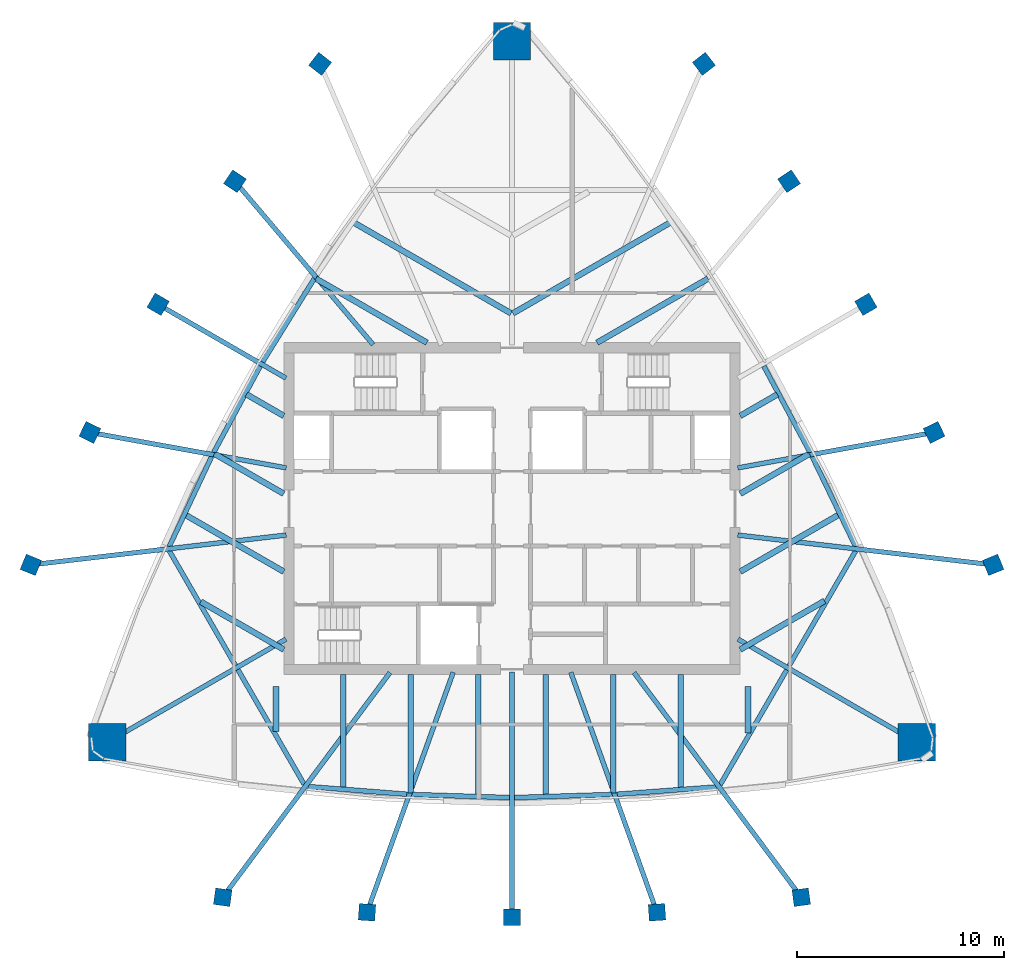
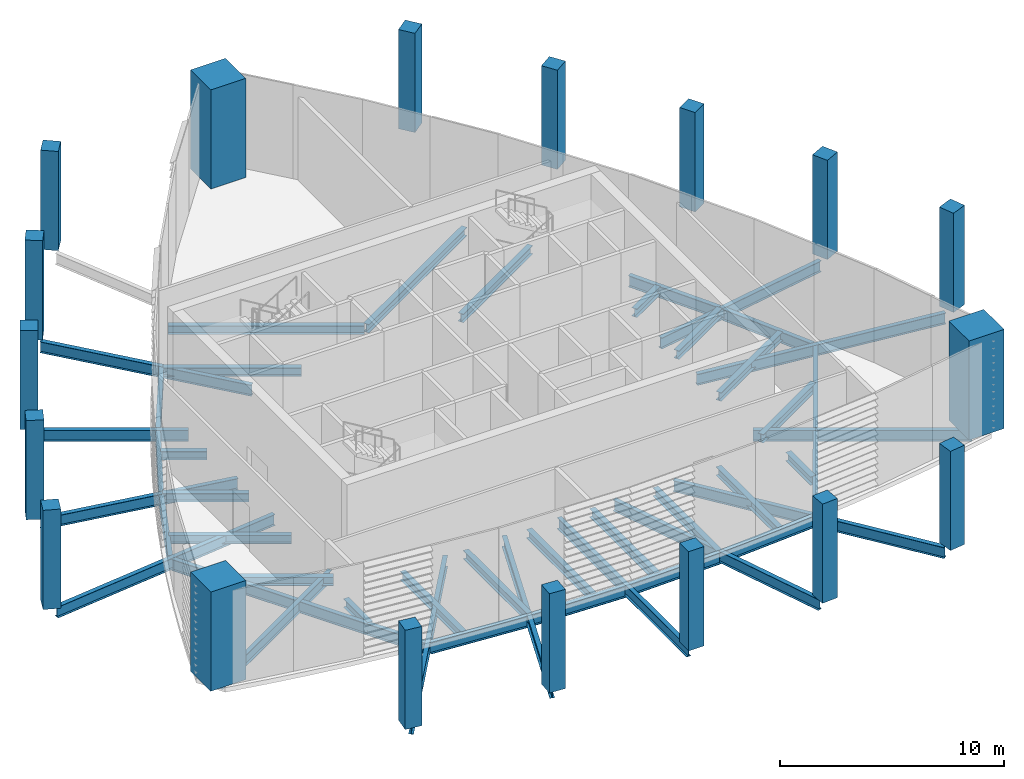
# One storey, part 1 of 8: 44 beams, 18 columns.
"""IFC4 building model written with IfcOpenShell, lengths in metres."""

import ifcopenshell
import ifcopenshell.guid

model = None  # the IFC model being written
_history = None  # IfcOwnerHistory: only IFC2X3 demands one
_inside = {}  # id of a spatial element -> (the spatial element, [elements in it])
_under = {}  # id of a project, library or spatial element -> (it, [spatial elements below it])
_declared = {}  # id of a project -> (the project, [libraries it declares])
_typed = {}  # id of a type object -> (the type object, [elements of that type])
_made_of = {}  # id of a material, layer set ... -> (it, [elements and type objects made of it])


def new_model(schema):
    """Start an empty IFC model of exactly this schema.

    Asked for "IFC4X3", IfcOpenShell would pick the latest addendum, in which some entities
    have other attributes; the version numbers below select the first issue.
    IFC2X3 requires an IfcOwnerHistory on every rooted entity: one is made here for all.
    """
    global model, _history
    if schema == "IFC4X3":
        model = ifcopenshell.file(schema_version=(4, 3, 0, 0))
    else:
        model = ifcopenshell.file(schema=schema)
    _inside.clear()
    _under.clear()
    _declared.clear()
    _typed.clear()
    _made_of.clear()
    _history = None
    if model.schema == "IFC2X3":
        org = make("IfcOrganization", Name="unknown")
        user = make(
            "IfcPersonAndOrganization",
            ThePerson=make("IfcPerson", FamilyName="unknown"),
            TheOrganization=org,
        )
        app = make(
            "IfcApplication",
            ApplicationDeveloper=org,
            Version="unknown",
            ApplicationFullName="unknown",
            ApplicationIdentifier="unknown",
        )
        _history = make(
            "IfcOwnerHistory",
            OwningUser=user,
            OwningApplication=app,
            ChangeAction="ADDED",
            CreationDate=0,
        )
    return model


def make(cls, **values):
    """One entity of the class cls with the attributes given. An attribute that is None is left unset."""
    return model.create_entity(
        cls, **{name: value for name, value in values.items() if value is not None}
    )


def rooted(cls, **values):
    """An entity with a GlobalId (a new one), such as an element, a storey or a relation."""
    return make(cls, GlobalId=ifcopenshell.guid.new(), OwnerHistory=_history, **values)


def si_unit(unit_type, name, prefix=None):
    """IfcSIUnit, for example si_unit("LENGTHUNIT", "METRE", prefix="MILLI")."""
    return make("IfcSIUnit", UnitType=unit_type, Prefix=prefix, Name=name)


def assignment(units):
    """IfcUnitAssignment: the units of a project."""
    return None if units is None else make("IfcUnitAssignment", Units=units)


def point(xyz):
    """IfcCartesianPoint."""
    return None if xyz is None else make("IfcCartesianPoint", Coordinates=xyz)


def direction(xyz):
    """IfcDirection."""
    return None if xyz is None else make("IfcDirection", DirectionRatios=xyz)


def frame(location, z_axis=None, x_axis=None):
    """IfcAxis2Placement3D, a coordinate frame: its origin and axes. An axis left out is left unset."""
    return make(
        "IfcAxis2Placement3D",
        Location=point(location),
        Axis=direction(z_axis),
        RefDirection=direction(x_axis),
    )


def frame_2d(location, x_axis=None):
    """IfcAxis2Placement2D, a coordinate frame in the plane: its origin and x axis."""
    return make(
        "IfcAxis2Placement2D", Location=point(location), RefDirection=direction(x_axis)
    )


def origin():
    """The frame at (0, 0, 0) with its axes left unset."""
    return frame((0.0, 0.0, 0.0))


def origin_2d():
    """The frame at (0, 0) in the plane with its x axis left unset."""
    return frame_2d((0.0, 0.0))


def place(relative_to, where):
    """IfcLocalPlacement: puts the frame where relative to a parent placement (None: the world)."""
    return make(
        "IfcLocalPlacement", PlacementRelTo=relative_to, RelativePlacement=where
    )


def context(
    kind, dimensions, precision=None, world=None, true_north=None, identifier=None
):
    """IfcGeometricRepresentationContext, for example the 3D "Model" context."""
    return make(
        "IfcGeometricRepresentationContext",
        ContextIdentifier=identifier,
        ContextType=kind,
        CoordinateSpaceDimension=dimensions,
        Precision=precision,
        WorldCoordinateSystem=world,
        TrueNorth=true_north,
    )


def subcontext(parent, identifier, kind, view, scale=None):
    """IfcGeometricRepresentationSubContext, for example "Body" below "Model"."""
    return make(
        "IfcGeometricRepresentationSubContext",
        ContextIdentifier=identifier,
        ContextType=kind,
        ParentContext=parent,
        TargetScale=scale,
        TargetView=view,
    )


def project(units=None, contexts=None):
    """IfcProject with its units and contexts."""
    return rooted(
        "IfcProject",
        Name="project",
        RepresentationContexts=contexts,
        UnitsInContext=assignment(units),
    )


def spatial(cls, under=None, at=None, **own):
    """A site, building, storey or space (cls), placed at a placement, below another one or the project."""
    s = rooted(cls, ObjectPlacement=at, **own)
    if under is not None:
        _under.setdefault(under.id(), (under, []))[1].append(s)
    return s


def profile(cls, at=None, kind="AREA", **sizes):
    """A parametric profile (cls). Its sizes go by their IFC names, for example OverallWidth=200.0."""
    return make(cls, ProfileType=kind, Position=at, **sizes)


def rectangle(**sizes):
    """IfcRectangleProfileDef."""
    return profile("IfcRectangleProfileDef", **sizes)


def i_section(**sizes):
    """IfcIShapeProfileDef."""
    return profile("IfcIShapeProfileDef", **sizes)


def extrude(swept, where, along, depth):
    """IfcExtrudedAreaSolid: the profile swept, set in the frame where, extruded along a direction by depth."""
    return make(
        "IfcExtrudedAreaSolid",
        SweptArea=swept,
        Position=where,
        ExtrudedDirection=direction(along),
        Depth=depth,
    )


def clip(a, b, op="DIFFERENCE"):
    """IfcBooleanClippingResult: the solid a cut by the half space b."""
    return make(
        "IfcBooleanClippingResult", Operator=op, FirstOperand=a, SecondOperand=b
    )


def halfspace(plane, agree):
    """IfcHalfSpaceSolid: all space on one side of the plane z = 0 of the frame plane."""
    return make(
        "IfcHalfSpaceSolid",
        BaseSurface=make("IfcPlane", Position=plane),
        AgreementFlag=agree,
    )


def shape(context_of_items, identifier, shape_type, items):
    """IfcShapeRepresentation: the items that make up one representation, for example the "Body"."""
    return make(
        "IfcShapeRepresentation",
        ContextOfItems=context_of_items,
        RepresentationIdentifier=identifier,
        RepresentationType=shape_type,
        Items=items,
    )


def material(Name=None, Category=None):
    """IfcMaterial."""
    return make("IfcMaterial", Name=Name, Category=Category)


def material_profile(
    of_material, cross_section, Name=None, Category=None, Priority=None
):
    """IfcMaterialProfile: a cross section and its material."""
    return make(
        "IfcMaterialProfile",
        Name=Name,
        Material=of_material,
        Profile=cross_section,
        Priority=Priority,
        Category=Category,
    )


def profile_set(profiles, Name=None, composite=None):
    """IfcMaterialProfileSet."""
    return make(
        "IfcMaterialProfileSet",
        Name=Name,
        MaterialProfiles=profiles,
        CompositeProfile=composite,
    )


def made_of(thing, what):
    """Note that an element or type object is made of a material, layer set ...; save() writes the relation."""
    if what is not None:
        _made_of.setdefault(what.id(), (what, []))[1].append(thing)
    return thing


def type_object(cls, material=None, **own):
    """A type object (cls), such as IfcWallType, which elements share."""
    return made_of(rooted(cls, **own), material)


def element(
    cls,
    number,
    at=None,
    inside=None,
    cuts=None,
    type_object=None,
    material=None,
    context=None,
    identifier="Body",
    shape_type=None,
    held_by="IfcProductDefinitionShape",
    body=None,
    shapes=None,
    **own,
):
    """One element of the class cls, such as IfcWall. Its Tag is "e" and its number.

    at: its placement. inside: the storey or other place that contains it. cuts: it is an
    opening in that element (IfcRelVoidsElement). A single representation is given by context,
    identifier, shape_type and body (its items); several are given by shapes. held_by: the class
    of the entity that holds the representations. save() writes the other relations.
    """
    e = rooted(cls, Tag="e%d" % number, ObjectPlacement=at, **own)
    if body is not None:
        shapes = [shape(context, identifier, shape_type, body)]
    if shapes is not None:
        e.Representation = make(held_by, Representations=shapes)
    if inside is not None:
        _inside.setdefault(inside.id(), (inside, []))[1].append(e)
    if cuts is not None:
        rooted(
            "IfcRelVoidsElement", RelatingBuildingElement=cuts, RelatedOpeningElement=e
        )
    if type_object is not None:
        _typed.setdefault(type_object.id(), (type_object, []))[1].append(e)
    return made_of(e, material)


def aggregate(whole, parts):
    """IfcRelAggregates: a whole, such as a stair, and the parts it consists of."""
    return rooted("IfcRelAggregates", RelatingObject=whole, RelatedObjects=parts)


def save(model, path):
    """Write the relations noted so far, then the file.

    IfcRelAggregates (storeys below a building ...), IfcRelContainedInSpatialStructure (elements
    in a storey), IfcRelDefinesByType, IfcRelAssociatesMaterial and IfcRelDeclares: one each for
    every whole, place, type object, material and project.
    """
    for whole, parts in _under.values():
        aggregate(whole, parts)
    for where, things in _inside.values():
        rooted(
            "IfcRelContainedInSpatialStructure",
            RelatedElements=things,
            RelatingStructure=where,
        )
    for kind, things in _typed.values():
        rooted("IfcRelDefinesByType", RelatedObjects=things, RelatingType=kind)
    for what, things in _made_of.values():
        rooted("IfcRelAssociatesMaterial", RelatedObjects=things, RelatingMaterial=what)
    for by, libraries in _declared.values():
        rooted("IfcRelDeclares", RelatingContext=by, RelatedDefinitions=libraries)
    model.write(path)


model = new_model("IFC4")

# Units and contexts
model_context = context("Model", 3, precision=1e-05, world=origin(), true_north=direction((0.0, 1.0)))
body_context = subcontext(model_context, "Body", "Model", "MODEL_VIEW")
ifc_project = project(units=[si_unit("LENGTHUNIT", "METRE"), si_unit("AREAUNIT", "SQUARE_METRE"), si_unit("VOLUMEUNIT", "CUBIC_METRE"), si_unit("PLANEANGLEUNIT", "RADIAN"), si_unit("MASSUNIT", "GRAM", prefix="KILO")], contexts=[model_context])

# Site, building, storey
site_placement = place(None, origin())
site = spatial("IfcSite", under=ifc_project, at=site_placement, CompositionType="ELEMENT")
building_placement = place(site_placement, origin())
building = spatial("IfcBuilding", under=site, at=building_placement, Name="Sierra Prisma Convention Tower", CompositionType="ELEMENT")
storey_placement = place(building_placement, frame((0.0, 0.0, 344.800048828125)))
storey = spatial("IfcBuildingStorey", under=building, at=storey_placement, Name="L77", CompositionType="ELEMENT", Elevation=344.800048828125)

# Columns
ifc_material_1 = material(Name="Concrete C50/60", Category="concrete")
ifc_material_profile_1 = material_profile(ifc_material_1, rectangle(XDim=1.800048828125, YDim=1.800048828125, at=origin_2d()), Name="Mega column RC 1800 C50/60")
ifc_profile_set_1 = profile_set([ifc_material_profile_1], Name="Concrete C50/60")
column_type_1 = type_object("IfcColumnType", Name="Mega column RC 1800 C50/60", PredefinedType="COLUMN", material=ifc_profile_set_1)
for number, where, z_axis, x_axis, name in (
    (1, (19.513671875, -11.266357421875, 0.0), (0.0, 0.0, 1.0), (1.0, 0.0, 0.0), "Mega column SE L77"),
    (2, (0.0, 22.532470703125, 0.0), (0.0, 0.0, 1.0), (1.0, 0.0, 0.0), "Mega column N L77"),
    (3, (-19.513671875, -11.266357421875, 0.0), (0.0, 0.0, 1.0), (1.0, 0.0, 0.0), "Mega column SW L77"),
):
    element("IfcColumn", number, at=place(storey_placement, frame(where, z_axis=z_axis, x_axis=x_axis)), inside=storey, type_object=column_type_1, Name=name, PredefinedType="COLUMN", context=body_context, shape_type="SweptSolid", body=[
        extrude(rectangle(XDim=1.800048828125, YDim=1.800048828125, at=origin_2d()), origin(), (0.0, 0.0, 1.0), 5.39990234375),
    ])
ifc_material_2 = material(Name="Concrete C50/60", Category="concrete")
ifc_material_profile_2 = material_profile(ifc_material_2, rectangle(XDim=0.800048828125, YDim=0.800048828125, at=origin_2d()), Name="Perimeter column RC 800 C50/60")
ifc_profile_set_2 = profile_set([ifc_material_profile_2], Name="Concrete C50/60")
column_type_2 = type_object("IfcColumnType", Name="Perimeter column RC 800 C50/60", PredefinedType="COLUMN", material=ifc_profile_set_2)
for number, where, z_axis, x_axis, name in (
    (4, (-13.944580078125, -18.733154296875, 0.0), (0.0, 0.0, 1.0), (-0.990429413919, 0.138020201583, 0.0), "Perimeter column S-1 L77"),
    (5, (-6.989013671875, -19.4580078125, 0.0), (0.0, 0.0, 1.0), (-0.997604544599, 0.069174941967, 0.0), "Perimeter column S-2 L77"),
    (6, (0.0, -19.699951171875, 0.0), (0.0, 0.0, 1.0), (1.0, 0.0, 0.0), "Perimeter column S-3 L77"),
    (7, (6.989013671875, -19.4580078125, 0.0), (0.0, 0.0, 1.0), (0.997604544599, 0.069174941967, 0.0), "Perimeter column S-4 L77"),
    (8, (13.944580078125, -18.733154296875, 0.0), (0.0, 0.0, 1.0), (0.990429413919, 0.138020201583, 0.0), "Perimeter column S-5 L77"),
    (9, (23.195556640625, -2.7099609375, 0.0), (0.0, 0.0, 1.0), (-0.375685706153, 0.9267471339, 0.0), "Perimeter column NE-1 L77"),
    (10, (20.345703125, 3.67626953125, 0.0), (0.0, 0.0, 1.0), (-0.438895015251, 0.898538349537, 0.0), "Perimeter column NE-2 L77"),
    (11, (17.060791015625, 9.85009765625, 0.0), (0.0, 0.0, 1.0), (-0.5, 0.866025403784, 0.0), "Perimeter column NE-3 L77"),
    (12, (13.356689453125, 15.78173828125, 0.0), (0.0, 0.0, 1.0), (-0.558709529348, 0.82936340757, 0.0), "Perimeter column NE-4 L77"),
    (13, (9.2509765625, 21.44287109375, 0.0), (0.0, 0.0, 1.0), (-0.614743707766, 0.788726932317, 0.0), "Perimeter column NE-5 L77"),
    (14, (-9.2509765625, 21.44287109375, 0.0), (0.0, 0.0, 1.0), (0.614743707766, 0.788726932317, 0.0), "Perimeter column NW-1 L77"),
    (15, (-13.356689453125, 15.78173828125, 0.0), (0.0, 0.0, 1.0), (0.558709529348, 0.82936340757, 0.0), "Perimeter column NW-2 L77"),
    (16, (-17.060791015625, 9.85009765625, 0.0), (0.0, 0.0, 1.0), (0.5, 0.866025403784, 0.0), "Perimeter column NW-3 L77"),
    (17, (-20.345703125, 3.67626953125, 0.0), (0.0, 0.0, 1.0), (0.438895015251, 0.898538349537, 0.0), "Perimeter column NW-4 L77"),
    (18, (-23.195556640625, -2.7099609375, 0.0), (0.0, 0.0, 1.0), (0.375685706153, 0.9267471339, 0.0), "Perimeter column NW-5 L77"),
):
    element("IfcColumn", number, at=place(storey_placement, frame(where, z_axis=z_axis, x_axis=x_axis)), inside=storey, type_object=column_type_2, Name=name, PredefinedType="COLUMN", context=body_context, shape_type="SweptSolid", body=[
        extrude(rectangle(XDim=0.800048828125, YDim=0.800048828125, at=origin_2d()), origin(), (0.0, 0.0, 1.0), 5.39990234375),
    ])

# Beams
ifc_material_3 = material(Name="Steel ASTM A992 Gr 50", Category="steel")
ifc_material_profile_3 = material_profile(ifc_material_3, i_section(OverallWidth=0.280029296875, OverallDepth=0.462890625, WebThickness=0.0107421875, FlangeThickness=0.017333984375, at=origin_2d()), Name="W460x113")
ifc_profile_set_3 = profile_set([ifc_material_profile_3], Name="Steel ASTM A992 Gr 50")
beam_type_1 = type_object("IfcBeamType", Name="Plant floor joist W460x113", PredefinedType="JOIST", material=ifc_profile_set_3)
beam_1_placement = place(storey_placement, frame((-11.383056640625, -10.747314453125, -0.4814453125), z_axis=(0.0, 1.0, 0.0), x_axis=(-1.0, 0.0, 0.0)))
element("IfcBeam", 19, at=beam_1_placement, inside=storey, type_object=beam_type_1, Name="Floor joist L77 S03", PredefinedType="JOIST", context=body_context, shape_type="SweptSolid", body=[
    extrude(i_section(OverallWidth=0.280029296875, OverallDepth=0.462890625, WebThickness=0.0107421875, FlangeThickness=0.017333984375, at=origin_2d()), origin(), (0.0, 0.0, 1.0), 2.1669921875),
])
beam_2_placement = place(storey_placement, frame((-8.130615234375, -13.46240234375, -0.4814453125), z_axis=(0.0, 1.0, 0.0), x_axis=(-1.0, 0.0, 0.0)))
element("IfcBeam", 20, at=beam_2_placement, inside=storey, type_object=beam_type_1, Name="Floor joist L77 S04", PredefinedType="JOIST", context=body_context, shape_type="SweptSolid", body=[
    extrude(i_section(OverallWidth=0.280029296875, OverallDepth=0.462890625, WebThickness=0.0107421875, FlangeThickness=0.017333984375, at=origin_2d()), origin(), (0.0, 0.0, 1.0), 5.46240234375),
])
beam_3_placement = place(storey_placement, frame((-4.87841796875, -13.712158203125, -0.4814453125), z_axis=(0.0, 1.0, 0.0), x_axis=(-1.0, 0.0, 0.0)))
element("IfcBeam", 21, at=beam_3_placement, inside=storey, type_object=beam_type_1, Name="Floor joist L77 S05", PredefinedType="JOIST", context=body_context, shape_type="SweptSolid", body=[
    extrude(i_section(OverallWidth=0.280029296875, OverallDepth=0.462890625, WebThickness=0.0107421875, FlangeThickness=0.017333984375, at=origin_2d()), origin(), (0.0, 0.0, 1.0), 5.712158203125),
])
for number, where, z_axis, x_axis, name in (
    (22, (-1.626220703125, -13.813720703125, -0.4814453125), (0.0, 1.0, 0.0), (-1.0, 0.0, 0.0), "Floor joist L77 S06"),
    (23, (1.626220703125, -13.813720703125, -0.4814453125), (0.0, 1.0, 0.0), (-1.0, 0.0, 0.0), "Floor joist L77 S07"),
):
    element("IfcBeam", number, at=place(storey_placement, frame(where, z_axis=z_axis, x_axis=x_axis)), inside=storey, type_object=beam_type_1, Name=name, PredefinedType="JOIST", context=body_context, shape_type="SweptSolid", body=[
        extrude(i_section(OverallWidth=0.280029296875, OverallDepth=0.462890625, WebThickness=0.0107421875, FlangeThickness=0.017333984375, at=origin_2d()), origin(), (0.0, 0.0, 1.0), 5.813720703125),
    ])
beam_4_placement = place(storey_placement, frame((4.87841796875, -13.712158203125, -0.4814453125), z_axis=(0.0, 1.0, 0.0), x_axis=(-1.0, 0.0, 0.0)))
element("IfcBeam", 24, at=beam_4_placement, inside=storey, type_object=beam_type_1, Name="Floor joist L77 S08", PredefinedType="JOIST", context=body_context, shape_type="SweptSolid", body=[
    extrude(i_section(OverallWidth=0.280029296875, OverallDepth=0.462890625, WebThickness=0.0107421875, FlangeThickness=0.017333984375, at=origin_2d()), origin(), (0.0, 0.0, 1.0), 5.712158203125),
])
beam_5_placement = place(storey_placement, frame((8.130615234375, -13.475830078125, -0.4814453125), z_axis=(0.0, 1.0, 0.0), x_axis=(-1.0, 0.0, 0.0)))
element("IfcBeam", 25, at=beam_5_placement, inside=storey, type_object=beam_type_1, Name="Floor joist L77 S09", PredefinedType="JOIST", context=body_context, shape_type="SweptSolid", body=[
    extrude(i_section(OverallWidth=0.280029296875, OverallDepth=0.462890625, WebThickness=0.0107421875, FlangeThickness=0.017333984375, at=origin_2d()), origin(), (0.0, 0.0, 1.0), 5.475830078125),
])
beam_6_placement = place(storey_placement, frame((11.383056640625, -10.802001953125, -0.4814453125), z_axis=(0.0, 1.0, 0.0), x_axis=(-1.0, 0.0, 0.0)))
element("IfcBeam", 26, at=beam_6_placement, inside=storey, type_object=beam_type_1, Name="Floor joist L77 S10", PredefinedType="JOIST", context=body_context, shape_type="SweptSolid", body=[
    extrude(i_section(OverallWidth=0.280029296875, OverallDepth=0.462890625, WebThickness=0.0107421875, FlangeThickness=0.017333984375, at=origin_2d()), origin(), (0.0, 0.0, 1.0), 2.2216796875),
])
beam_7_placement = place(storey_placement, frame((15.064697265625, -4.4462890625, -0.4814453125), z_axis=(-0.866009741255, -0.500027127316, 0.0), x_axis=(0.500027127316, -0.866009741255, 0.0)))
element("IfcBeam", 27, at=beam_7_placement, inside=storey, type_object=beam_type_1, Name="Floor joist L77 NE03", PredefinedType="JOIST", context=body_context, shape_type="SweptSolid", body=[
    extrude(i_section(OverallWidth=0.280029296875, OverallDepth=0.462890625, WebThickness=0.0107421875, FlangeThickness=0.017333984375, at=origin_2d()), origin(), (0.0, 0.0, 1.0), 4.693603515625),
])
beam_8_placement = place(storey_placement, frame((15.752197265625, -0.2939453125, -0.4814453125), z_axis=(-0.866027773222, -0.499995895991, 0.0), x_axis=(0.499995895991, -0.866027773222, 0.0)))
element("IfcBeam", 28, at=beam_8_placement, inside=storey, type_object=beam_type_1, Name="Floor joist L77 NE04", PredefinedType="JOIST", context=body_context, shape_type="SweptSolid", body=[
    extrude(i_section(OverallWidth=0.280029296875, OverallDepth=0.462890625, WebThickness=0.0107421875, FlangeThickness=0.017333984375, at=origin_2d()), origin(), (0.0, 0.0, 1.0), 5.4873046875),
])
beam_9_placement = place(storey_placement, frame((14.331787109375, 2.641357421875, -0.4814453125), z_axis=(-0.866028127555, -0.499995282261, 0.0), x_axis=(0.499995282261, -0.866028127555, 0.0)))
element("IfcBeam", 29, at=beam_9_placement, inside=storey, type_object=beam_type_1, Name="Floor joist L77 NE05", PredefinedType="JOIST", context=body_context, shape_type="SweptSolid", body=[
    extrude(i_section(OverallWidth=0.280029296875, OverallDepth=0.462890625, WebThickness=0.0107421875, FlangeThickness=0.017333984375, at=origin_2d()), origin(), (0.0, 0.0, 1.0), 3.84716796875),
])
beam_10_placement = place(storey_placement, frame((12.793701171875, 5.5087890625, -0.4814453125), z_axis=(-0.866014808974, -0.500018350302, 0.0), x_axis=(0.500018350302, -0.866014808974, 0.0)))
element("IfcBeam", 30, at=beam_10_placement, inside=storey, type_object=beam_type_1, Name="Floor joist L77 NE06", PredefinedType="JOIST", context=body_context, shape_type="SweptSolid", body=[
    extrude(i_section(OverallWidth=0.280029296875, OverallDepth=0.462890625, WebThickness=0.0107421875, FlangeThickness=0.017333984375, at=origin_2d()), origin(), (0.0, 0.0, 1.0), 2.0712890625),
])
beam_11_placement = place(storey_placement, frame((9.453857421875, 11.09130859375, -0.4814453125), z_axis=(-0.866023159588, -0.500003887042, 0.0), x_axis=(0.500003887042, -0.866023159588, 0.0)))
element("IfcBeam", 31, at=beam_11_placement, inside=storey, type_object=beam_type_1, Name="Floor joist L77 NE08", PredefinedType="JOIST", context=body_context, shape_type="SweptSolid", body=[
    extrude(i_section(OverallWidth=0.280029296875, OverallDepth=0.462890625, WebThickness=0.0107421875, FlangeThickness=0.017333984375, at=origin_2d()), origin(), (0.0, 0.0, 1.0), 6.1826171875),
])
for number, where, z_axis, x_axis, name in (
    (32, (7.62158203125, 13.788818359375, -0.4814453125), (-0.866022457571, -0.500005102957, 0.0), (0.500005102957, -0.866022457571, 0.0), "Floor joist L77 NE09"),
    (33, (-7.62158203125, 13.788818359375, -0.4814453125), (0.866022457571, -0.500005102957, 0.0), (0.500005102957, 0.866022457571, 0.0), "Floor joist L77 NW04"),
):
    element("IfcBeam", number, at=place(storey_placement, frame(where, z_axis=z_axis, x_axis=x_axis)), inside=storey, type_object=beam_type_1, Name=name, PredefinedType="JOIST", context=body_context, shape_type="SweptSolid", body=[
        extrude(i_section(OverallWidth=0.280029296875, OverallDepth=0.462890625, WebThickness=0.0107421875, FlangeThickness=0.017333984375, at=origin_2d()), origin(), (0.0, 0.0, 1.0), 8.748046875),
    ])
beam_12_placement = place(storey_placement, frame((-9.453857421875, 11.09130859375, -0.4814453125), z_axis=(0.866023159588, -0.500003887042, 0.0), x_axis=(0.500003887042, 0.866023159588, 0.0)))
element("IfcBeam", 34, at=beam_12_placement, inside=storey, type_object=beam_type_1, Name="Floor joist L77 NW05", PredefinedType="JOIST", context=body_context, shape_type="SweptSolid", body=[
    extrude(i_section(OverallWidth=0.280029296875, OverallDepth=0.462890625, WebThickness=0.0107421875, FlangeThickness=0.017333984375, at=origin_2d()), origin(), (0.0, 0.0, 1.0), 6.1826171875),
])
beam_13_placement = place(storey_placement, frame((-12.796630859375, 5.510498046875, -0.4814453125), z_axis=(0.866011167577, -0.500024657023, 0.0), x_axis=(0.500024657023, 0.866011167577, 0.0)))
element("IfcBeam", 35, at=beam_13_placement, inside=storey, type_object=beam_type_1, Name="Floor joist L77 NW07", PredefinedType="JOIST", context=body_context, shape_type="SweptSolid", body=[
    extrude(i_section(OverallWidth=0.280029296875, OverallDepth=0.462890625, WebThickness=0.0107421875, FlangeThickness=0.017333984375, at=origin_2d()), origin(), (0.0, 0.0, 1.0), 2.07470703125),
])
beam_14_placement = place(storey_placement, frame((-14.340576171875, 2.646484375, -0.4814453125), z_axis=(0.866022217343, -0.500005519039, 0.0), x_axis=(0.500005519039, 0.866022217343, 0.0)))
element("IfcBeam", 36, at=beam_14_placement, inside=storey, type_object=beam_type_1, Name="Floor joist L77 NW08", PredefinedType="JOIST", context=body_context, shape_type="SweptSolid", body=[
    extrude(i_section(OverallWidth=0.280029296875, OverallDepth=0.462890625, WebThickness=0.0107421875, FlangeThickness=0.017333984375, at=origin_2d()), origin(), (0.0, 0.0, 1.0), 3.857421875),
])
beam_15_placement = place(storey_placement, frame((-15.73388671875, -0.304443359375, -0.4814453125), z_axis=(0.866021955858, -0.500005971936, 0.0), x_axis=(0.500005971936, 0.866021955858, 0.0)))
element("IfcBeam", 37, at=beam_15_placement, inside=storey, type_object=beam_type_1, Name="Floor joist L77 NW09", PredefinedType="JOIST", context=body_context, shape_type="SweptSolid", body=[
    extrude(i_section(OverallWidth=0.280029296875, OverallDepth=0.462890625, WebThickness=0.0107421875, FlangeThickness=0.017333984375, at=origin_2d()), origin(), (0.0, 0.0, 1.0), 5.46630859375),
])
beam_16_placement = place(storey_placement, frame((-14.9990234375, -4.484375, -0.4814453125), z_axis=(0.866025344474, -0.500000102728, 0.0), x_axis=(0.500000102728, 0.866025344474, 0.0)))
element("IfcBeam", 38, at=beam_16_placement, inside=storey, type_object=beam_type_1, Name="Floor joist L77 NW10", PredefinedType="JOIST", context=body_context, shape_type="SweptSolid", body=[
    extrude(i_section(OverallWidth=0.280029296875, OverallDepth=0.462890625, WebThickness=0.0107421875, FlangeThickness=0.017333984375, at=origin_2d()), origin(), (0.0, 0.0, 1.0), 4.61767578125),
])
ifc_material_4 = material(Name="Steel ASTM A992 Gr 50", Category="steel")
ifc_material_profile_4 = material_profile(ifc_material_4, i_section(OverallWidth=0.22802734375, OverallDepth=0.60302734375, WebThickness=0.010498046875, FlangeThickness=0.014892578125, at=origin_2d()), Name="W610x101")
ifc_profile_set_4 = profile_set([ifc_material_profile_4], Name="Steel ASTM A992 Gr 50")
beam_type_2 = type_object("IfcBeamType", Name="Radial girder W610x101", PredefinedType="BEAM", material=ifc_profile_set_4)
beam_17_placement = place(storey_placement, frame((-19.333740234375, -11.162353515625, -0.551513671875), z_axis=(0.866023262497, 0.500003708801, 0.0), x_axis=(-0.500003708801, 0.866023262497, 0.0)))
element("IfcBeam", 39, at=beam_17_placement, inside=storey, type_object=beam_type_2, Name="Radial girder L77 MC-SW", PredefinedType="BEAM", context=body_context, shape_type="SweptSolid", body=[
    extrude(i_section(OverallWidth=0.22802734375, OverallDepth=0.60302734375, WebThickness=0.010498046875, FlangeThickness=0.014892578125, at=origin_2d()), origin(), (0.0, 0.0, 1.0), 9.7431640625),
])
beam_18_placement = place(storey_placement, frame((-13.743896484375, -18.46337890625, -0.551513671875), z_axis=(0.597111803332, 0.802158023286, 0.0), x_axis=(-0.802158023286, 0.597111803332, 0.0)))
element("IfcBeam", 40, at=beam_18_placement, inside=storey, type_object=beam_type_2, Name="Radial girder L77 PC-S-1", PredefinedType="BEAM", context=body_context, shape_type="SweptSolid", body=[
    extrude(i_section(OverallWidth=0.22802734375, OverallDepth=0.60302734375, WebThickness=0.010498046875, FlangeThickness=0.014892578125, at=origin_2d()), origin(), (0.0, 0.0, 1.0), 13.1640625),
])
beam_19_placement = place(storey_placement, frame((-6.88916015625, -19.1796875, -0.551513671875), z_axis=(0.338038517584, 0.941132275841, 0.0), x_axis=(-0.941132275841, 0.338038517584, 0.0)))
element("IfcBeam", 41, at=beam_19_placement, inside=storey, type_object=beam_type_2, Name="Radial girder L77 PC-S-2", PredefinedType="BEAM", context=body_context, shape_type="SweptSolid", body=[
    extrude(i_section(OverallWidth=0.22802734375, OverallDepth=0.60302734375, WebThickness=0.010498046875, FlangeThickness=0.014892578125, at=origin_2d()), origin(), (0.0, 0.0, 1.0), 11.9990234375),
])
beam_20_placement = place(storey_placement, frame((0.0, -19.419921875, -0.551513671875), z_axis=(0.0, 1.0, 0.0), x_axis=(-1.0, 0.0, 0.0)))
element("IfcBeam", 42, at=beam_20_placement, inside=storey, type_object=beam_type_2, Name="Radial girder L77 PC-S-3", PredefinedType="BEAM", context=body_context, shape_type="SweptSolid", body=[
    extrude(i_section(OverallWidth=0.22802734375, OverallDepth=0.60302734375, WebThickness=0.010498046875, FlangeThickness=0.014892578125, at=origin_2d()), origin(), (0.0, 0.0, 1.0), 11.5400390625),
])
beam_21_placement = place(storey_placement, frame((6.88916015625, -19.1796875, -0.551513671875), z_axis=(-0.338038517584, 0.941132275841, 0.0), x_axis=(-0.941132275841, -0.338038517584, 0.0)))
element("IfcBeam", 43, at=beam_21_placement, inside=storey, type_object=beam_type_2, Name="Radial girder L77 PC-S-4", PredefinedType="BEAM", context=body_context, shape_type="SweptSolid", body=[
    extrude(i_section(OverallWidth=0.22802734375, OverallDepth=0.60302734375, WebThickness=0.010498046875, FlangeThickness=0.014892578125, at=origin_2d()), origin(), (0.0, 0.0, 1.0), 11.9990234375),
])
beam_22_placement = place(storey_placement, frame((13.743896484375, -18.46337890625, -0.551513671875), z_axis=(-0.597111803332, 0.802158023286, 0.0), x_axis=(-0.802158023286, -0.597111803332, 0.0)))
element("IfcBeam", 44, at=beam_22_placement, inside=storey, type_object=beam_type_2, Name="Radial girder L77 PC-S-5", PredefinedType="BEAM", context=body_context, shape_type="SweptSolid", body=[
    extrude(i_section(OverallWidth=0.22802734375, OverallDepth=0.60302734375, WebThickness=0.010498046875, FlangeThickness=0.014892578125, at=origin_2d()), origin(), (0.0, 0.0, 1.0), 13.1640625),
])
beam_23_placement = place(storey_placement, frame((19.333740234375, -11.162353515625, -0.551513671875), z_axis=(-0.866023262497, 0.500003708801, 0.0), x_axis=(-0.500003708801, -0.866023262497, 0.0)))
element("IfcBeam", 45, at=beam_23_placement, inside=storey, type_object=beam_type_2, Name="Radial girder L77 MC-SE", PredefinedType="BEAM", context=body_context, shape_type="SweptSolid", body=[
    extrude(i_section(OverallWidth=0.22802734375, OverallDepth=0.60302734375, WebThickness=0.010498046875, FlangeThickness=0.014892578125, at=origin_2d()), origin(), (0.0, 0.0, 1.0), 9.7431640625),
])
beam_24_placement = place(storey_placement, frame((22.86181640625, -2.6708984375, -0.551513671875), z_axis=(-0.993245189305, 0.116034451446, 0.0), x_axis=(-0.116034451446, -0.993245189305, 0.0)))
element("IfcBeam", 46, at=beam_24_placement, inside=storey, type_object=beam_type_2, Name="Radial girder L77 PC-NE-1", PredefinedType="BEAM", context=body_context, shape_type="SweptSolid", body=[
    extrude(i_section(OverallWidth=0.22802734375, OverallDepth=0.60302734375, WebThickness=0.010498046875, FlangeThickness=0.014892578125, at=origin_2d()), origin(), (0.0, 0.0, 1.0), 12.0625),
])
beam_25_placement = place(storey_placement, frame((20.0546875, 3.623779296875, -0.551513671875), z_axis=(-0.984064190553, -0.177813578986, 0.0), x_axis=(0.177813578986, -0.984064190553, 0.0)))
element("IfcBeam", 47, at=beam_25_placement, inside=storey, type_object=beam_type_2, Name="Radial girder L77 PC-NE-2", PredefinedType="BEAM", context=body_context, shape_type="SweptSolid", body=[
    extrude(i_section(OverallWidth=0.22802734375, OverallDepth=0.60302734375, WebThickness=0.010498046875, FlangeThickness=0.014892578125, at=origin_2d()), origin(), (0.0, 0.0, 1.0), 9.3212890625),
])
beam_26_placement = place(storey_placement, frame((-13.16552734375, 15.555908203125, -0.551513671875), z_axis=(0.646028534804, -0.76331325956, 0.0), x_axis=(0.76331325956, 0.646028534804, 0.0)))
element("IfcBeam", 48, at=beam_26_placement, inside=storey, type_object=beam_type_2, Name="Radial girder L77 PC-NW-2", PredefinedType="BEAM", context=body_context, shape_type="SweptSolid", body=[
    extrude(i_section(OverallWidth=0.22802734375, OverallDepth=0.60302734375, WebThickness=0.010498046875, FlangeThickness=0.014892578125, at=origin_2d()), origin(), (0.0, 0.0, 1.0), 10.018798828125),
])
beam_27_placement = place(storey_placement, frame((-16.818115234375, 9.7099609375, -0.551513671875), z_axis=(0.866022087412, -0.500005744082, 0.0), x_axis=(0.500005744082, 0.866022087412, 0.0)))
element("IfcBeam", 49, at=beam_27_placement, inside=storey, type_object=beam_type_2, Name="Radial girder L77 PC-NW-3", PredefinedType="BEAM", context=body_context, shape_type="SweptSolid", body=[
    extrude(i_section(OverallWidth=0.22802734375, OverallDepth=0.60302734375, WebThickness=0.010498046875, FlangeThickness=0.014892578125, at=origin_2d()), origin(), (0.0, 0.0, 1.0), 6.83837890625),
])
beam_28_placement = place(storey_placement, frame((-20.0546875, 3.623779296875, -0.551513671875), z_axis=(0.984064190553, -0.177813578986, 0.0), x_axis=(0.177813578986, 0.984064190553, 0.0)))
element("IfcBeam", 50, at=beam_28_placement, inside=storey, type_object=beam_type_2, Name="Radial girder L77 PC-NW-4", PredefinedType="BEAM", context=body_context, shape_type="SweptSolid", body=[
    extrude(i_section(OverallWidth=0.22802734375, OverallDepth=0.60302734375, WebThickness=0.010498046875, FlangeThickness=0.014892578125, at=origin_2d()), origin(), (0.0, 0.0, 1.0), 9.3212890625),
])
beam_29_placement = place(storey_placement, frame((-22.86181640625, -2.6708984375, -0.551513671875), z_axis=(0.993245189305, 0.116034451446, 0.0), x_axis=(-0.116034451446, 0.993245189305, 0.0)))
element("IfcBeam", 51, at=beam_29_placement, inside=storey, type_object=beam_type_2, Name="Radial girder L77 PC-NW-5", PredefinedType="BEAM", context=body_context, shape_type="SweptSolid", body=[
    extrude(i_section(OverallWidth=0.22802734375, OverallDepth=0.60302734375, WebThickness=0.010498046875, FlangeThickness=0.014892578125, at=origin_2d()), origin(), (0.0, 0.0, 1.0), 12.0625),
])
ifc_material_5 = material(Name="Steel ASTM A992 Gr 50", Category="steel")
ifc_material_profile_5 = material_profile(ifc_material_5, i_section(OverallWidth=0.22998046875, OverallDepth=0.616943359375, WebThickness=0.01318359375, FlangeThickness=0.022216796875, at=origin_2d()), Name="W610x140")
ifc_profile_set_5 = profile_set([ifc_material_profile_5], Name="Steel ASTM A992 Gr 50")
beam_type_3 = type_object("IfcBeamType", Name="Spandrel beam W610x140", PredefinedType="BEAM", material=ifc_profile_set_5)
beam_30_placement = place(storey_placement, frame((-16.516845703125, -2.03515625, -0.55859375), z_axis=(0.499997362234, -0.866026926694, 0.0), x_axis=(0.866026926694, 0.499997362234, 0.0)))
element("IfcBeam", 52, at=beam_30_placement, inside=storey, type_object=beam_type_3, Name="Crown edge beam L77-01", PredefinedType="BEAM", context=body_context, shape_type="SweptSolid", body=[
    clip(clip(extrude(i_section(OverallWidth=0.22998046875, OverallDepth=0.616943359375, WebThickness=0.01318359375, FlangeThickness=0.022216796875, at=origin_2d()), origin(), (0.0, 0.0, 1.0), 12.99169921875), halfspace(frame((-0.045166015625, 0.0, -0.009521484375), z_axis=(-0.396126831769, 0.0, 0.918195803276), x_axis=(0.918195803276, 0.0, 0.396126831769)), True)), halfspace(frame((-0.04541015625, 0.0, 13.00146484375), z_axis=(-0.396132273104, 0.0, -0.918193455763), x_axis=(0.918193455763, 0.0, -0.396132273104)), True)),
])
beam_31_placement = place(storey_placement, frame((-9.839599609375, -13.39501953125, -0.55859375), z_axis=(0.996993113599, -0.077490202195, 0.0), x_axis=(0.077490202195, 0.996993113599, 0.0)))
element("IfcBeam", 53, at=beam_31_placement, inside=storey, type_object=beam_type_3, Name="Crown edge beam L77-02", PredefinedType="BEAM", context=body_context, shape_type="SweptSolid", body=[
    clip(clip(extrude(i_section(OverallWidth=0.22998046875, OverallDepth=0.616943359375, WebThickness=0.01318359375, FlangeThickness=0.022216796875, at=origin_2d()), origin(), (0.0, 0.0, 1.0), 4.79833984375), halfspace(frame((-0.060791015625, 0.0, -0.028076171875), z_axis=(-0.533160513978, 0.0, 0.846014105281), x_axis=(0.846014105281, 0.0, 0.533160513978)), True)), halfspace(frame((0.0302734375, 0.0, 4.79638671875), z_axis=(0.264098867217, 0.0, -0.964495613435), x_axis=(0.964495613435, 0.0, 0.264098867217)), True)),
])
beam_32_placement = place(storey_placement, frame((-4.838134765625, -13.778564453125, -0.55859375), z_axis=(0.999513633771, -0.03118486661, 0.0), x_axis=(0.03118486661, 0.999513633771, 0.0)))
element("IfcBeam", 54, at=beam_32_placement, inside=storey, type_object=beam_type_3, Name="Crown edge beam L77-03", PredefinedType="BEAM", context=body_context, shape_type="SweptSolid", body=[
    clip(clip(extrude(i_section(OverallWidth=0.22998046875, OverallDepth=0.616943359375, WebThickness=0.01318359375, FlangeThickness=0.022216796875, at=origin_2d()), origin(), (0.0, 0.0, 1.0), 4.736328125), halfspace(frame((-0.03515625, 0.0, -0.00146484375), z_axis=(-0.30853027268, 0.0, 0.95121452409), x_axis=(0.95121452409, 0.0, 0.30853027268)), True)), halfspace(frame((-0.00341796875, 0.0, 4.7265625), z_axis=(-0.03118486661, 0.0, -0.999513633771), x_axis=(0.999513633771, 0.0, -0.03118486661)), True)),
])
beam_33_placement = place(storey_placement, frame((0.10400390625, -13.92626953125, -0.55859375), z_axis=(0.999513633771, 0.03118486661, 0.0), x_axis=(-0.03118486661, 0.999513633771, 0.0)))
element("IfcBeam", 55, at=beam_33_placement, inside=storey, type_object=beam_type_3, Name="Crown edge beam L77-04", PredefinedType="BEAM", context=body_context, shape_type="SweptSolid", body=[
    clip(clip(extrude(i_section(OverallWidth=0.22998046875, OverallDepth=0.616943359375, WebThickness=0.01318359375, FlangeThickness=0.022216796875, at=origin_2d()), origin(), (0.0, 0.0, 1.0), 4.736328125), halfspace(frame((-0.00341796875, 0.0, 0.010009765625), z_axis=(-0.03118486661, 0.0, 0.999513633771), x_axis=(0.999513633771, 0.0, 0.03118486661)), True)), halfspace(frame((-0.03515625, 0.0, 4.73779296875), z_axis=(-0.30853027268, 0.0, -0.95121452409), x_axis=(0.95121452409, 0.0, -0.30853027268)), True)),
])
beam_34_placement = place(storey_placement, frame((5.055908203125, -13.76708984375, -0.55859375), z_axis=(0.997311607965, 0.073277258531, 0.0), x_axis=(-0.073277258531, 0.997311607965, 0.0)))
element("IfcBeam", 56, at=beam_34_placement, inside=storey, type_object=beam_type_3, Name="Crown edge beam L77-05", PredefinedType="BEAM", context=body_context, shape_type="SweptSolid", body=[
    clip(clip(extrude(i_section(OverallWidth=0.22998046875, OverallDepth=0.616943359375, WebThickness=0.01318359375, FlangeThickness=0.022216796875, at=origin_2d()), origin(), (0.0, 0.0, 1.0), 4.81103515625), halfspace(frame((0.030517578125, 0.0, 0.00146484375), z_axis=(0.268171461633, 0.0, 0.963371199053), x_axis=(0.963371199053, 0.0, -0.268171461633)), True)), halfspace(frame((-0.06103515625, 0.0, 4.840087890625), z_axis=(-0.536730127814, 0.0, -0.843753974744), x_axis=(0.843753974744, 0.0, -0.536730127814)), True)),
])
beam_35_placement = place(storey_placement, frame((10.035888671875, -13.306640625, -0.55859375), z_axis=(0.501273519433, 0.865288887433, 0.0), x_axis=(-0.865288887433, 0.501273519433, 0.0)))
element("IfcBeam", 57, at=beam_35_placement, inside=storey, type_object=beam_type_3, Name="Crown edge beam L77-06", PredefinedType="BEAM", context=body_context, shape_type="SweptSolid", body=[
    clip(clip(extrude(i_section(OverallWidth=0.22998046875, OverallDepth=0.616943359375, WebThickness=0.01318359375, FlangeThickness=0.022216796875, at=origin_2d()), origin(), (0.0, 0.0, 1.0), 13.02001953125), halfspace(frame((-0.045166015625, 0.0, -0.00927734375), z_axis=(-0.39477823802, 0.0, 0.91877643787), x_axis=(0.91877643787, 0.0, 0.39477823802)), True)), halfspace(frame((-0.04541015625, 0.0, 13.02978515625), z_axis=(-0.397480009414, 0.0, -0.917610833696), x_axis=(0.917610833696, 0.0, -0.397480009414)), True)),
])
beam_36_placement = place(storey_placement, frame((16.5654296875, -1.8291015625, -0.55859375), z_axis=(-0.434722134841, 0.900564637036, 0.0), x_axis=(-0.900564637036, -0.434722134841, 0.0)))
element("IfcBeam", 58, at=beam_36_placement, inside=storey, type_object=beam_type_3, Name="Crown edge beam L77-07", PredefinedType="BEAM", context=body_context, shape_type="SweptSolid", body=[
    clip(clip(extrude(i_section(OverallWidth=0.22998046875, OverallDepth=0.616943359375, WebThickness=0.01318359375, FlangeThickness=0.022216796875, at=origin_2d()), origin(), (0.0, 0.0, 1.0), 4.81689453125), halfspace(frame((-0.061279296875, 0.0, -0.02880859375), z_axis=(-0.536286038442, 0.0, 0.844036305482), x_axis=(0.844036305482, 0.0, 0.536286038442)), True)), halfspace(frame((0.030517578125, 0.0, 4.8154296875), z_axis=(0.267662272813, 0.0, -0.963512795822), x_axis=(0.963512795822, 0.0, 0.267662272813)), True)),
])
beam_37_placement = place(storey_placement, frame((14.37255859375, 2.703125, -0.55859375), z_axis=(-0.472721210919, 0.881212038471, 0.0), x_axis=(-0.881212038471, -0.472721210919, 0.0)))
element("IfcBeam", 59, at=beam_37_placement, inside=storey, type_object=beam_type_3, Name="Crown edge beam L77-08", PredefinedType="BEAM", context=body_context, shape_type="SweptSolid", body=[
    clip(clip(extrude(i_section(OverallWidth=0.22998046875, OverallDepth=0.616943359375, WebThickness=0.01318359375, FlangeThickness=0.022216796875, at=origin_2d()), origin(), (0.0, 0.0, 1.0), 4.74365234375), halfspace(frame((-0.034912109375, 0.0, -0.001220703125), z_axis=(-0.308496952462, 0.0, 0.951225330992), x_axis=(0.951225330992, 0.0, 0.308496952462)), True)), halfspace(frame((-0.00341796875, 0.0, 4.733642578125), z_axis=(-0.031217453219, 0.0, -0.999512616536), x_axis=(0.999512616536, 0.0, -0.031217453219)), True)),
])
beam_38_placement = place(storey_placement, frame((-9.527587890625, 11.095703125, -0.55859375), z_axis=(-0.526719564314, -0.850039117082, 0.0), x_axis=(0.850039117082, -0.526719564314, 0.0)))
element("IfcBeam", 60, at=beam_38_placement, inside=storey, type_object=beam_type_3, Name="Crown edge beam L77-13", PredefinedType="BEAM", context=body_context, shape_type="SweptSolid", body=[
    clip(clip(extrude(i_section(OverallWidth=0.22998046875, OverallDepth=0.616943359375, WebThickness=0.01318359375, FlangeThickness=0.022216796875, at=origin_2d()), origin(), (0.0, 0.0, 1.0), 4.74365234375), halfspace(frame((-0.03515625, 0.0, -0.00146484375), z_axis=(-0.3085775596, 0.0, 0.951199185088), x_axis=(0.951199185088, 0.0, 0.3085775596)), True)), halfspace(frame((-0.00341796875, 0.0, 4.733642578125), z_axis=(-0.031132953279, 0.0, -0.99951525212), x_axis=(0.99951525212, 0.0, -0.031132953279)), True)),
])
beam_39_placement = place(storey_placement, frame((-12.13037109375, 6.88330078125, -0.55859375), z_axis=(-0.474529168945, -0.880239778595, 0.0), x_axis=(0.880239778595, -0.474529168945, 0.0)))
element("IfcBeam", 61, at=beam_39_placement, inside=storey, type_object=beam_type_3, Name="Crown edge beam L77-14", PredefinedType="BEAM", context=body_context, shape_type="SweptSolid", body=[
    clip(clip(extrude(i_section(OverallWidth=0.22998046875, OverallDepth=0.616943359375, WebThickness=0.01318359375, FlangeThickness=0.022216796875, at=origin_2d()), origin(), (0.0, 0.0, 1.0), 4.74658203125), halfspace(frame((-0.00341796875, 0.0, 0.009765625), z_axis=(-0.029165585702, 0.0, 0.99957459382), x_axis=(0.99957459382, 0.0, 0.029165585702)), True)), halfspace(frame((-0.035400390625, 0.0, 4.748291015625), z_axis=(-0.310448979952, 0.0, -0.950590043524), x_axis=(0.950590043524, 0.0, -0.310448979952)), True)),
])
beam_40_placement = place(storey_placement, frame((-14.48095703125, 2.510498046875, -0.55859375), z_axis=(-0.425846121798, -0.904795601531, 0.0), x_axis=(0.904795601531, -0.425846121798, 0.0)))
element("IfcBeam", 62, at=beam_40_placement, inside=storey, type_object=beam_type_3, Name="Crown edge beam L77-15", PredefinedType="BEAM", context=body_context, shape_type="SweptSolid", body=[
    clip(clip(extrude(i_section(OverallWidth=0.22998046875, OverallDepth=0.616943359375, WebThickness=0.01318359375, FlangeThickness=0.022216796875, at=origin_2d()), origin(), (0.0, 0.0, 1.0), 4.79052734375), halfspace(frame((0.029296875, 0.0, 0.002197265625), z_axis=(0.258175384378, 0.0, 0.966098064847), x_axis=(0.966098064847, 0.0, -0.258175384378)), True)), halfspace(frame((-0.060302734375, 0.0, 4.81787109375), z_axis=(-0.527960942671, 0.0, -0.84926865185), x_axis=(0.84926865185, 0.0, -0.527960942671)), True)),
])

save(model, "model.ifc")
